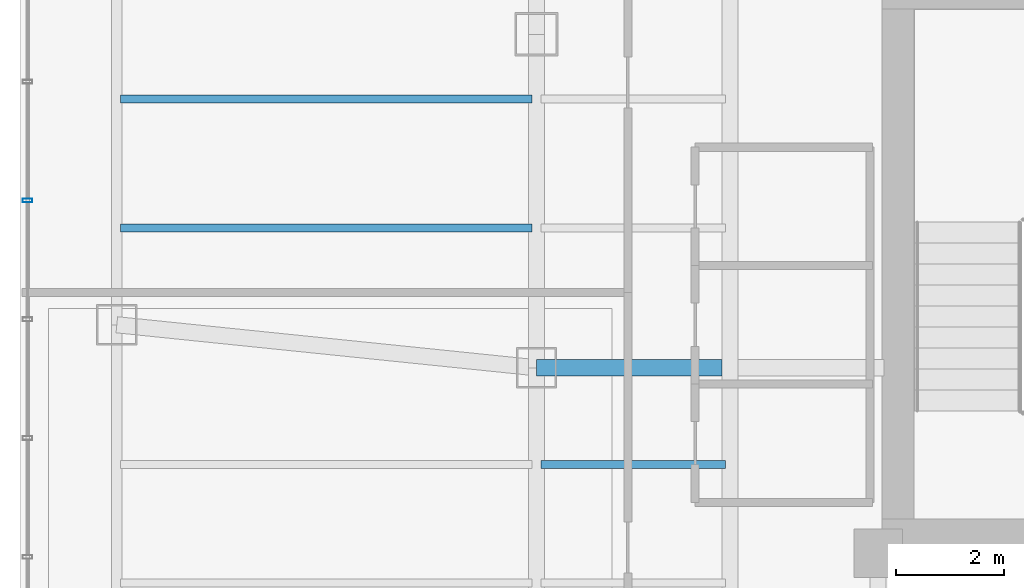
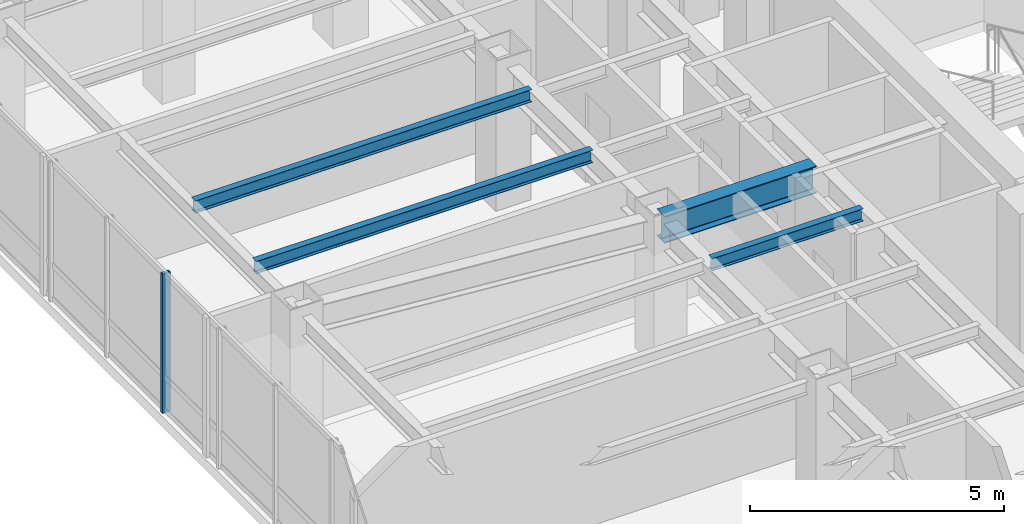
# One storey, part 8 of 27: 4 beams, 1 member, 1 element without a shape of its own.
"""IFC4 building model written with IfcOpenShell, lengths in metres."""

from ifc_helpers import new_model, si_unit, direction, frame, origin, origin_2d, place, context, subcontext, project, spatial, hollow_rectangle, i_section, extrude, material, layer, layer_set, material_profile, profile_set, type_object, element, aggregate, save


model = new_model("IFC4")

# Units and contexts
model_context = context("Model", 3, precision=1e-05, world=origin(), true_north=direction((0.0, 1.0)))
body_context = subcontext(model_context, "Body", "Model", "MODEL_VIEW")
ifc_project = project(units=[si_unit("LENGTHUNIT", "METRE"), si_unit("AREAUNIT", "SQUARE_METRE"), si_unit("VOLUMEUNIT", "CUBIC_METRE"), si_unit("PLANEANGLEUNIT", "RADIAN"), si_unit("MASSUNIT", "GRAM", prefix="KILO")], contexts=[model_context])

# Site, building, storey
site_placement = place(None, origin())
site = spatial("IfcSite", under=ifc_project, at=site_placement, CompositionType="ELEMENT")
building_placement = place(site_placement, origin())
building = spatial("IfcBuilding", under=site, at=building_placement, Name="Hatsunagi Terrace Concourse", CompositionType="ELEMENT")
storey_placement = place(building_placement, frame((0.0, 0.0, 163.64990234375)))
storey = spatial("IfcBuildingStorey", under=building, at=storey_placement, Name="L43", CompositionType="ELEMENT", Elevation=163.64990234375)

# Curtain wall, member
ifc_material_1 = material(Name="Anodised Aluminium Alloy 6063-T5", Category="aluminium")
ifc_layer = layer(ifc_material_1, 0.199951171875)
ifc_layer_set = layer_set([ifc_layer], Name="OfficeZone1_CW03")
curtain_wall_type = type_object("IfcCurtainWallType", Name="OfficeZone1_CW03", PredefinedType="NOTDEFINED", material=ifc_layer_set)
curtain_wall_placement = place(storey_placement, origin())
curtain_wall = element("IfcCurtainWall", 1, at=curtain_wall_placement, inside=storey, type_object=curtain_wall_type, Name="Unitised Curtain Wall CW-03 CW-L43-09", PredefinedType="NOTDEFINED")
ifc_material_2 = material(Name="Anodised Aluminium Alloy 6063-T5", Category="aluminium")
ifc_material_profile_1 = material_profile(ifc_material_2, hollow_rectangle(XDim=0.070068359375, YDim=0.179931640625, WallThickness=0.00390625, at=origin_2d()), Name="ALU-MUL-180x70x4")
ifc_profile_set_1 = profile_set([ifc_material_profile_1], Name="Anodised Aluminium Alloy 6063-T5")
member_type = type_object("IfcMemberType", Name="CurtainWallMullion_180x70", PredefinedType="MULLION", material=ifc_profile_set_1)
member_placement = place(storey_placement, frame((9.739990234375, 39.10791015625, 0.0), z_axis=(0.0, 0.0, 1.0), x_axis=(0.0, 1.0, 0.0)))
member = element("IfcMember", 2, at=member_placement, type_object=member_type, Name="Curtain Wall Mullion MUL-02", PredefinedType="MULLION", context=body_context, shape_type="SweptSolid", body=[
    extrude(hollow_rectangle(XDim=0.070068359375, YDim=0.179931640625, WallThickness=0.00390625, at=origin_2d()), origin(), (0.0, 0.0, 1.0), 3.35009765625),
])
aggregate(curtain_wall, [member])

# Beams
ifc_material_3 = material(Name="Steel SN490B", Category="steel")
ifc_material_profile_2 = material_profile(ifc_material_3, i_section(OverallWidth=0.14990234375, OverallDepth=0.300048828125, WebThickness=0.006591796875, FlangeThickness=0.009033203125, FilletRadius=0.010986328125, at=origin_2d()), Name="H-300x150x6.5x9")
ifc_profile_set_2 = profile_set([ifc_material_profile_2], Name="Steel SN490B")
beam_type_1 = type_object("IfcBeamType", Name="OfficeJoist_H_300x150", PredefinedType="JOIST", material=ifc_profile_set_2)
beam_1_placement = place(storey_placement, frame((19.284912109375, 34.199951171875, 3.2001953125), z_axis=(1.0, 0.0, 0.0), x_axis=(0.0, 1.0, 0.0)))
element("IfcBeam", 3, at=beam_1_placement, inside=storey, type_object=beam_type_1, Name="Beam J-03 J-L43-W-19-342", PredefinedType="JOIST", context=body_context, shape_type="SweptSolid", body=[
    extrude(i_section(OverallWidth=0.14990234375, OverallDepth=0.300048828125, WebThickness=0.006591796875, FlangeThickness=0.009033203125, FilletRadius=0.010986328125, at=origin_2d()), origin(), (0.0, 0.0, 1.0), 3.43017578125),
])
for number, where, z_axis, x_axis, name in (
    (4, (11.465087890625, 38.60009765625, 3.2001953125), (1.0, 0.0, 0.0), (0.0, 1.0, 0.0), "Beam J-03 J-L43-W-11-386"),
    (5, (11.465087890625, 41.0, 3.2001953125), (1.0, 0.0, 0.0), (0.0, 1.0, 0.0), "Beam J-03 J-L43-W-11-410"),
):
    element("IfcBeam", number, at=place(storey_placement, frame(where, z_axis=z_axis, x_axis=x_axis)), inside=storey, type_object=beam_type_1, Name=name, PredefinedType="JOIST", context=body_context, shape_type="SweptSolid", body=[
        extrude(i_section(OverallWidth=0.14990234375, OverallDepth=0.300048828125, WebThickness=0.006591796875, FlangeThickness=0.009033203125, FilletRadius=0.010986328125, at=origin_2d()), origin(), (0.0, 0.0, 1.0), 7.64990234375),
    ])
ifc_material_4 = material(Name="Steel SN490B", Category="steel")
ifc_material_profile_3 = material_profile(ifc_material_4, i_section(OverallWidth=0.300048828125, OverallDepth=0.64990234375, WebThickness=0.012939453125, FlangeThickness=0.02197265625, FilletRadius=0.01806640625, at=origin_2d()), Name="H-650x300x13x22")
ifc_profile_set_3 = profile_set([ifc_material_profile_3], Name="Steel SN490B")
beam_type_2 = type_object("IfcBeamType", Name="OfficeLowGirder_H_650x300", PredefinedType="BEAM", material=ifc_profile_set_3)
beam_2_placement = place(storey_placement, frame((19.199951171875, 36.0, 3.025146484375), z_axis=(1.0, 0.0, 0.0), x_axis=(0.0, 1.0, 0.0)))
element("IfcBeam", 6, at=beam_2_placement, inside=storey, type_object=beam_type_2, Name="Beam G-05 BM-L43-EW-3", PredefinedType="BEAM", context=body_context, shape_type="SweptSolid", body=[
    extrude(i_section(OverallWidth=0.300048828125, OverallDepth=0.64990234375, WebThickness=0.012939453125, FlangeThickness=0.02197265625, FilletRadius=0.01806640625, at=origin_2d()), origin(), (0.0, 0.0, 1.0), 3.449951171875),
])

save(model, "model.ifc")
